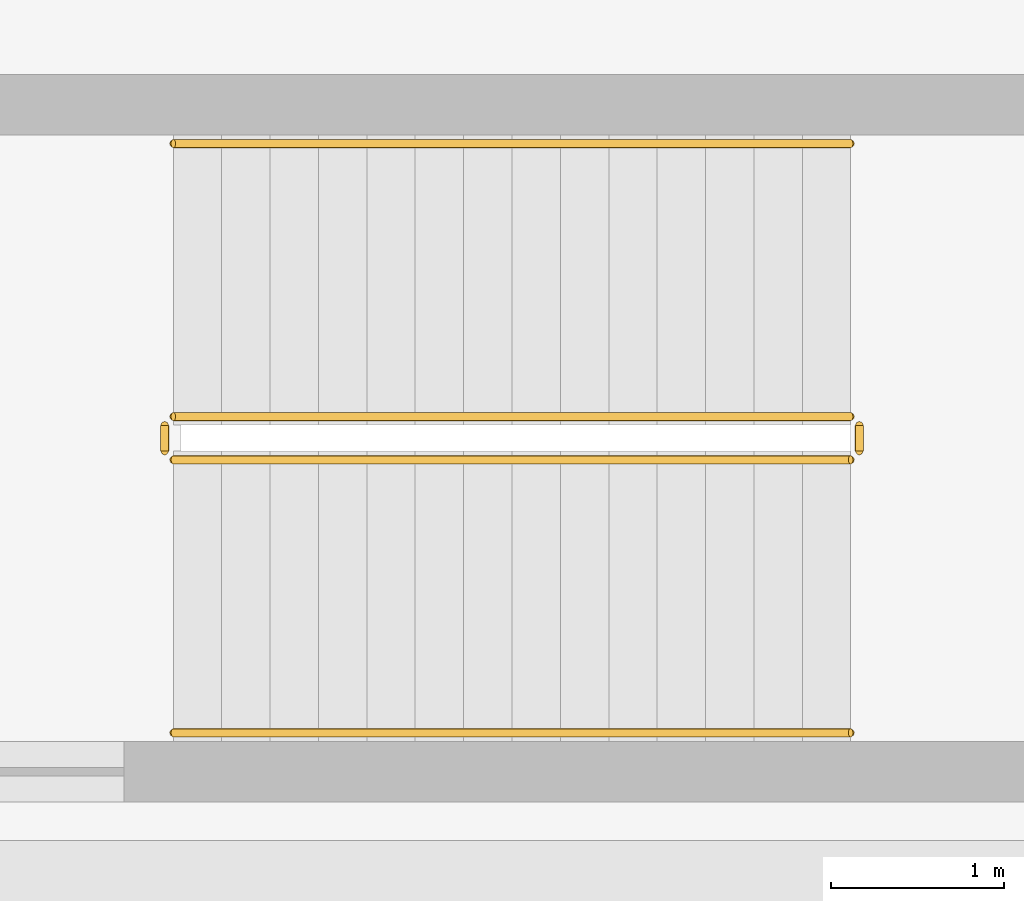
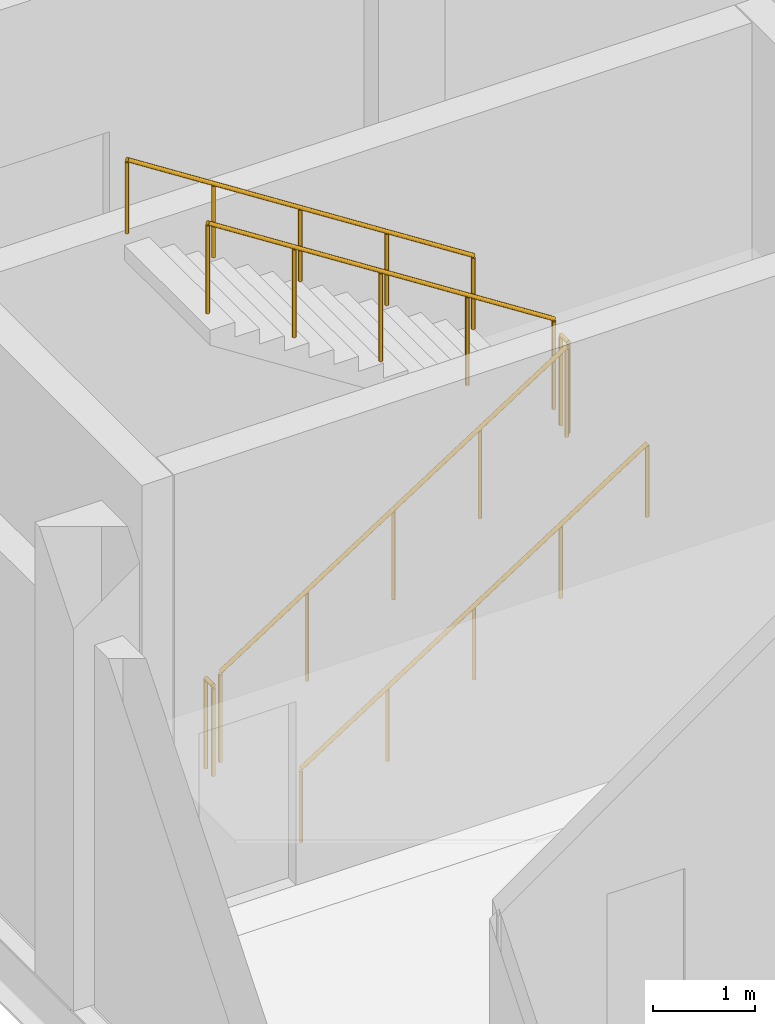
# One storey, part 47 of 47: 6 railings.
"""IFC4 building model written with IfcOpenShell, lengths in metres."""

import ifcopenshell
import ifcopenshell.guid

model = None  # the IFC model being written
_history = None  # IfcOwnerHistory: only IFC2X3 demands one
_inside = {}  # id of a spatial element -> (the spatial element, [elements in it])
_under = {}  # id of a project, library or spatial element -> (it, [spatial elements below it])
_declared = {}  # id of a project -> (the project, [libraries it declares])
_typed = {}  # id of a type object -> (the type object, [elements of that type])
_made_of = {}  # id of a material, layer set ... -> (it, [elements and type objects made of it])


def new_model(schema):
    """Start an empty IFC model of exactly this schema.

    Asked for "IFC4X3", IfcOpenShell would pick the latest addendum, in which some entities
    have other attributes; the version numbers below select the first issue.
    IFC2X3 requires an IfcOwnerHistory on every rooted entity: one is made here for all.
    """
    global model, _history
    if schema == "IFC4X3":
        model = ifcopenshell.file(schema_version=(4, 3, 0, 0))
    else:
        model = ifcopenshell.file(schema=schema)
    _inside.clear()
    _under.clear()
    _declared.clear()
    _typed.clear()
    _made_of.clear()
    _history = None
    if model.schema == "IFC2X3":
        org = make("IfcOrganization", Name="unknown")
        user = make(
            "IfcPersonAndOrganization",
            ThePerson=make("IfcPerson", FamilyName="unknown"),
            TheOrganization=org,
        )
        app = make(
            "IfcApplication",
            ApplicationDeveloper=org,
            Version="unknown",
            ApplicationFullName="unknown",
            ApplicationIdentifier="unknown",
        )
        _history = make(
            "IfcOwnerHistory",
            OwningUser=user,
            OwningApplication=app,
            ChangeAction="ADDED",
            CreationDate=0,
        )
    return model


def make(cls, **values):
    """One entity of the class cls with the attributes given. An attribute that is None is left unset."""
    return model.create_entity(
        cls, **{name: value for name, value in values.items() if value is not None}
    )


def rooted(cls, **values):
    """An entity with a GlobalId (a new one), such as an element, a storey or a relation."""
    return make(cls, GlobalId=ifcopenshell.guid.new(), OwnerHistory=_history, **values)


def si_unit(unit_type, name, prefix=None):
    """IfcSIUnit, for example si_unit("LENGTHUNIT", "METRE", prefix="MILLI")."""
    return make("IfcSIUnit", UnitType=unit_type, Prefix=prefix, Name=name)


def assignment(units):
    """IfcUnitAssignment: the units of a project."""
    return None if units is None else make("IfcUnitAssignment", Units=units)


def point(xyz):
    """IfcCartesianPoint."""
    return None if xyz is None else make("IfcCartesianPoint", Coordinates=xyz)


def direction(xyz):
    """IfcDirection."""
    return None if xyz is None else make("IfcDirection", DirectionRatios=xyz)


def frame(location, z_axis=None, x_axis=None):
    """IfcAxis2Placement3D, a coordinate frame: its origin and axes. An axis left out is left unset."""
    return make(
        "IfcAxis2Placement3D",
        Location=point(location),
        Axis=direction(z_axis),
        RefDirection=direction(x_axis),
    )


def frame_2d(location, x_axis=None):
    """IfcAxis2Placement2D, a coordinate frame in the plane: its origin and x axis."""
    return make(
        "IfcAxis2Placement2D", Location=point(location), RefDirection=direction(x_axis)
    )


def origin():
    """The frame at (0, 0, 0) with its axes left unset."""
    return frame((0.0, 0.0, 0.0))


def origin_2d():
    """The frame at (0, 0) in the plane with its x axis left unset."""
    return frame_2d((0.0, 0.0))


def place(relative_to, where):
    """IfcLocalPlacement: puts the frame where relative to a parent placement (None: the world)."""
    return make(
        "IfcLocalPlacement", PlacementRelTo=relative_to, RelativePlacement=where
    )


def context(
    kind, dimensions, precision=None, world=None, true_north=None, identifier=None
):
    """IfcGeometricRepresentationContext, for example the 3D "Model" context."""
    return make(
        "IfcGeometricRepresentationContext",
        ContextIdentifier=identifier,
        ContextType=kind,
        CoordinateSpaceDimension=dimensions,
        Precision=precision,
        WorldCoordinateSystem=world,
        TrueNorth=true_north,
    )


def subcontext(parent, identifier, kind, view, scale=None):
    """IfcGeometricRepresentationSubContext, for example "Body" below "Model"."""
    return make(
        "IfcGeometricRepresentationSubContext",
        ContextIdentifier=identifier,
        ContextType=kind,
        ParentContext=parent,
        TargetScale=scale,
        TargetView=view,
    )


def project(units=None, contexts=None):
    """IfcProject with its units and contexts."""
    return rooted(
        "IfcProject",
        Name="project",
        RepresentationContexts=contexts,
        UnitsInContext=assignment(units),
    )


def spatial(cls, under=None, at=None, **own):
    """A site, building, storey or space (cls), placed at a placement, below another one or the project."""
    s = rooted(cls, ObjectPlacement=at, **own)
    if under is not None:
        _under.setdefault(under.id(), (under, []))[1].append(s)
    return s


def profile(cls, at=None, kind="AREA", **sizes):
    """A parametric profile (cls). Its sizes go by their IFC names, for example OverallWidth=200.0."""
    return make(cls, ProfileType=kind, Position=at, **sizes)


def circle(**sizes):
    """IfcCircleProfileDef."""
    return profile("IfcCircleProfileDef", **sizes)


def extrude(swept, where, along, depth):
    """IfcExtrudedAreaSolid: the profile swept, set in the frame where, extruded along a direction by depth."""
    return make(
        "IfcExtrudedAreaSolid",
        SweptArea=swept,
        Position=where,
        ExtrudedDirection=direction(along),
        Depth=depth,
    )


def shape(context_of_items, identifier, shape_type, items):
    """IfcShapeRepresentation: the items that make up one representation, for example the "Body"."""
    return make(
        "IfcShapeRepresentation",
        ContextOfItems=context_of_items,
        RepresentationIdentifier=identifier,
        RepresentationType=shape_type,
        Items=items,
    )


def material(Name=None, Category=None):
    """IfcMaterial."""
    return make("IfcMaterial", Name=Name, Category=Category)


def made_of(thing, what):
    """Note that an element or type object is made of a material, layer set ...; save() writes the relation."""
    if what is not None:
        _made_of.setdefault(what.id(), (what, []))[1].append(thing)
    return thing


def type_object(cls, material=None, **own):
    """A type object (cls), such as IfcWallType, which elements share."""
    return made_of(rooted(cls, **own), material)


def element(
    cls,
    number,
    at=None,
    inside=None,
    cuts=None,
    type_object=None,
    material=None,
    context=None,
    identifier="Body",
    shape_type=None,
    held_by="IfcProductDefinitionShape",
    body=None,
    shapes=None,
    **own,
):
    """One element of the class cls, such as IfcWall. Its Tag is "e" and its number.

    at: its placement. inside: the storey or other place that contains it. cuts: it is an
    opening in that element (IfcRelVoidsElement). A single representation is given by context,
    identifier, shape_type and body (its items); several are given by shapes. held_by: the class
    of the entity that holds the representations. save() writes the other relations.
    """
    e = rooted(cls, Tag="e%d" % number, ObjectPlacement=at, **own)
    if body is not None:
        shapes = [shape(context, identifier, shape_type, body)]
    if shapes is not None:
        e.Representation = make(held_by, Representations=shapes)
    if inside is not None:
        _inside.setdefault(inside.id(), (inside, []))[1].append(e)
    if cuts is not None:
        rooted(
            "IfcRelVoidsElement", RelatingBuildingElement=cuts, RelatedOpeningElement=e
        )
    if type_object is not None:
        _typed.setdefault(type_object.id(), (type_object, []))[1].append(e)
    return made_of(e, material)


def aggregate(whole, parts):
    """IfcRelAggregates: a whole, such as a stair, and the parts it consists of."""
    return rooted("IfcRelAggregates", RelatingObject=whole, RelatedObjects=parts)


def save(model, path):
    """Write the relations noted so far, then the file.

    IfcRelAggregates (storeys below a building ...), IfcRelContainedInSpatialStructure (elements
    in a storey), IfcRelDefinesByType, IfcRelAssociatesMaterial and IfcRelDeclares: one each for
    every whole, place, type object, material and project.
    """
    for whole, parts in _under.values():
        aggregate(whole, parts)
    for where, things in _inside.values():
        rooted(
            "IfcRelContainedInSpatialStructure",
            RelatedElements=things,
            RelatingStructure=where,
        )
    for kind, things in _typed.values():
        rooted("IfcRelDefinesByType", RelatedObjects=things, RelatingType=kind)
    for what, things in _made_of.values():
        rooted("IfcRelAssociatesMaterial", RelatedObjects=things, RelatingMaterial=what)
    for by, libraries in _declared.values():
        rooted("IfcRelDeclares", RelatingContext=by, RelatedDefinitions=libraries)
    model.write(path)


model = new_model("IFC4")

# Units and contexts
model_context = context("Model", 3, precision=1e-05, world=origin(), true_north=direction((0.0, 1.0)))
body_context = subcontext(model_context, "Body", "Model", "MODEL_VIEW")
ifc_project = project(units=[si_unit("LENGTHUNIT", "METRE"), si_unit("AREAUNIT", "SQUARE_METRE"), si_unit("VOLUMEUNIT", "CUBIC_METRE"), si_unit("PLANEANGLEUNIT", "RADIAN"), si_unit("MASSUNIT", "GRAM", prefix="KILO")], contexts=[model_context])

# Site, building, storey
site_placement = place(None, origin())
site = spatial("IfcSite", under=ifc_project, at=site_placement, CompositionType="ELEMENT")
building_placement = place(site_placement, origin())
building = spatial("IfcBuilding", under=site, at=building_placement, Name="Qorvath Tower", CompositionType="ELEMENT")
storey_placement = place(building_placement, frame((0.0, 0.0, 6.60009765625)))
storey = spatial("IfcBuildingStorey", under=building, at=storey_placement, Name="L01", CompositionType="ELEMENT", Elevation=6.60009765625)

# Railings
ifc_material_1 = material(Name="Painted galvanised steel", Category="steel")
railing_type_1 = type_object("IfcRailingType", Name="RL-STR-GRD", PredefinedType="GUARDRAIL", material=ifc_material_1)
railing_1_placement = place(storey_placement, frame((35.280029296875, 31.179931640625, 0.179931640625)))
element("IfcRailing", 1, at=railing_1_placement, inside=storey, type_object=railing_type_1, Name="L01 LS1 stair guard 1", PredefinedType="GUARDRAIL", context=body_context, shape_type="SweptSolid", body=[
    extrude(circle(Radius=0.02392578125, at=origin_2d()), frame((0.0, 0.0, 1.076171875), z_axis=(0.841171666519, 0.0, 0.540768182723), x_axis=(0.0, 1.0, 0.0)), (0.0, 0.0, 1.0), 4.66015625),
    extrude(circle(Radius=0.02099609375, at=origin_2d()), origin(), (0.0, 0.0, 1.0), 1.052001953125),
    extrude(circle(Radius=0.02099609375, at=origin_2d()), frame((0.97998046875, 0.0, 0.6298828125)), (0.0, 0.0, 1.0), 1.052001953125),
    extrude(circle(Radius=0.02099609375, at=origin_2d()), frame((1.9599609375, 0.0, 1.260009765625)), (0.0, 0.0, 1.0), 1.052001953125),
    extrude(circle(Radius=0.02099609375, at=origin_2d()), frame((2.93994140625, 0.0, 1.89013671875)), (0.0, 0.0, 1.0), 1.052001953125),
    extrude(circle(Radius=0.02099609375, at=origin_2d()), frame((3.919921875, 0.0, 2.52001953125)), (0.0, 0.0, 1.0), 1.052001953125),
])
railing_2_placement = place(storey_placement, frame((39.25, 31.22998046875, 2.699951171875)))
element("IfcRailing", 2, at=railing_2_placement, inside=storey, type_object=railing_type_1, Name="L01 LS1 stair guard 2", PredefinedType="GUARDRAIL", context=body_context, shape_type="SweptSolid", body=[
    extrude(circle(Radius=0.02392578125, at=origin_2d()), frame((0.0, 0.0, 1.076171875), z_axis=(0.0, 1.0, 0.0), x_axis=(-1.0, 0.0, 0.0)), (0.0, 0.0, 1.0), 0.14990234375),
    extrude(circle(Radius=0.02099609375, at=origin_2d()), origin(), (0.0, 0.0, 1.0), 1.052001953125),
    extrude(circle(Radius=0.02099609375, at=origin_2d()), frame((0.0, 0.14990234375, 0.0)), (0.0, 0.0, 1.0), 1.052001953125),
])
railing_3_placement = place(storey_placement, frame((39.199951171875, 31.429931640625, 2.8798828125)))
element("IfcRailing", 3, at=railing_3_placement, inside=storey, type_object=railing_type_1, Name="L01 LS1 stair guard 3", PredefinedType="GUARDRAIL", context=body_context, shape_type="SweptSolid", body=[
    extrude(circle(Radius=0.02392578125, at=origin_2d()), frame((0.0, 0.0, 1.076171875), z_axis=(-0.841171666519, 0.0, 0.540768182723), x_axis=(0.0, -1.0, 0.0)), (0.0, 0.0, 1.0), 4.66015625),
    extrude(circle(Radius=0.02099609375, at=origin_2d()), origin(), (0.0, 0.0, 1.0), 1.052001953125),
    extrude(circle(Radius=0.02099609375, at=origin_2d()), frame((-0.97998046875, 0.0, 0.6298828125)), (0.0, 0.0, 1.0), 1.052001953125),
    extrude(circle(Radius=0.02099609375, at=origin_2d()), frame((-1.9599609375, 0.0, 1.260009765625)), (0.0, 0.0, 1.0), 1.052001953125),
    extrude(circle(Radius=0.02099609375, at=origin_2d()), frame((-2.93994140625, 0.0, 1.89013671875)), (0.0, 0.0, 1.0), 1.052001953125),
    extrude(circle(Radius=0.02099609375, at=origin_2d()), frame((-3.919921875, 0.0, 2.52001953125)), (0.0, 0.0, 1.0), 1.052001953125),
])
railing_4_placement = place(storey_placement, frame((35.22998046875, 31.22998046875, 0.0)))
element("IfcRailing", 4, at=railing_4_placement, inside=storey, type_object=railing_type_1, Name="L01 LS1 stair guard 4", PredefinedType="GUARDRAIL", context=body_context, shape_type="SweptSolid", body=[
    extrude(circle(Radius=0.02392578125, at=origin_2d()), frame((0.0, 0.0, 1.076171875), z_axis=(0.0, 1.0, 0.0), x_axis=(-1.0, 0.0, 0.0)), (0.0, 0.0, 1.0), 0.14990234375),
    extrude(circle(Radius=0.02099609375, at=origin_2d()), origin(), (0.0, 0.0, 1.0), 1.052001953125),
    extrude(circle(Radius=0.02099609375, at=origin_2d()), frame((0.0, 0.14990234375, 0.0)), (0.0, 0.0, 1.0), 1.052001953125),
])
ifc_material_2 = material(Name="Brushed stainless steel AISI 304", Category="steel")
railing_type_2 = type_object("IfcRailingType", Name="RL-STR-HND", PredefinedType="HANDRAIL", material=ifc_material_2)
railing_5_placement = place(storey_placement, frame((35.280029296875, 29.60009765625, 0.179931640625)))
element("IfcRailing", 5, at=railing_5_placement, inside=storey, type_object=railing_type_2, Name="L01 LS1 stair handrail 1", PredefinedType="HANDRAIL", context=body_context, shape_type="SweptSolid", body=[
    extrude(circle(Radius=0.02392578125, at=origin_2d()), frame((0.0, 0.0, 0.8759765625), z_axis=(0.841171666519, 0.0, 0.540768182723), x_axis=(0.0, 1.0, 0.0)), (0.0, 0.0, 1.0), 4.66015625),
    extrude(circle(Radius=0.02099609375, at=origin_2d()), origin(), (0.0, 0.0, 1.0), 0.851806640625),
    extrude(circle(Radius=0.02099609375, at=origin_2d()), frame((0.97998046875, 0.0, 0.6298828125)), (0.0, 0.0, 1.0), 0.851806640625),
    extrude(circle(Radius=0.02099609375, at=origin_2d()), frame((1.9599609375, 0.0, 1.260009765625)), (0.0, 0.0, 1.0), 0.851806640625),
    extrude(circle(Radius=0.02099609375, at=origin_2d()), frame((2.93994140625, 0.0, 1.89013671875)), (0.0, 0.0, 1.0), 0.851806640625),
    extrude(circle(Radius=0.02099609375, at=origin_2d()), frame((3.919921875, 0.0, 2.52001953125)), (0.0, 0.0, 1.0), 0.851806640625),
])
railing_6_placement = place(storey_placement, frame((39.199951171875, 33.010009765625, 2.8798828125)))
element("IfcRailing", 6, at=railing_6_placement, inside=storey, type_object=railing_type_2, Name="L01 LS1 stair handrail 2", PredefinedType="HANDRAIL", context=body_context, shape_type="SweptSolid", body=[
    extrude(circle(Radius=0.02392578125, at=origin_2d()), frame((0.0, 0.0, 0.8759765625), z_axis=(-0.841171666519, 0.0, 0.540768182723), x_axis=(0.0, -1.0, 0.0)), (0.0, 0.0, 1.0), 4.66015625),
    extrude(circle(Radius=0.02099609375, at=origin_2d()), origin(), (0.0, 0.0, 1.0), 0.851806640625),
    extrude(circle(Radius=0.02099609375, at=origin_2d()), frame((-0.97998046875, 0.0, 0.6298828125)), (0.0, 0.0, 1.0), 0.851806640625),
    extrude(circle(Radius=0.02099609375, at=origin_2d()), frame((-1.9599609375, 0.0, 1.260009765625)), (0.0, 0.0, 1.0), 0.851806640625),
    extrude(circle(Radius=0.02099609375, at=origin_2d()), frame((-2.93994140625, 0.0, 1.89013671875)), (0.0, 0.0, 1.0), 0.851806640625),
    extrude(circle(Radius=0.02099609375, at=origin_2d()), frame((-3.919921875, 0.0, 2.52001953125)), (0.0, 0.0, 1.0), 0.851806640625),
])

save(model, "model.ifc")
